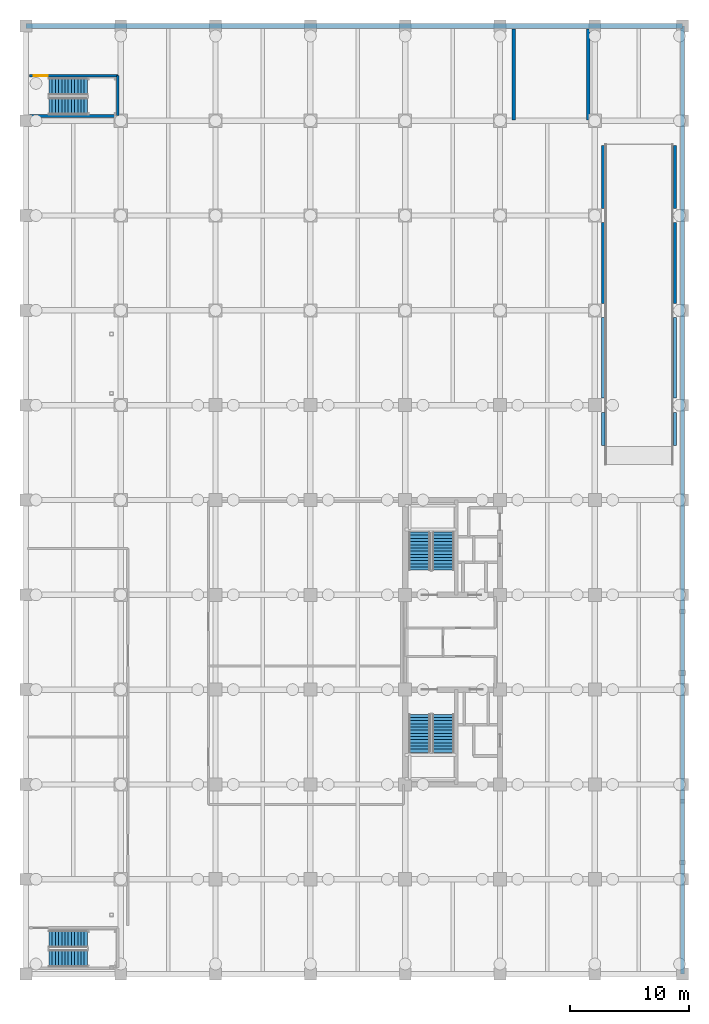
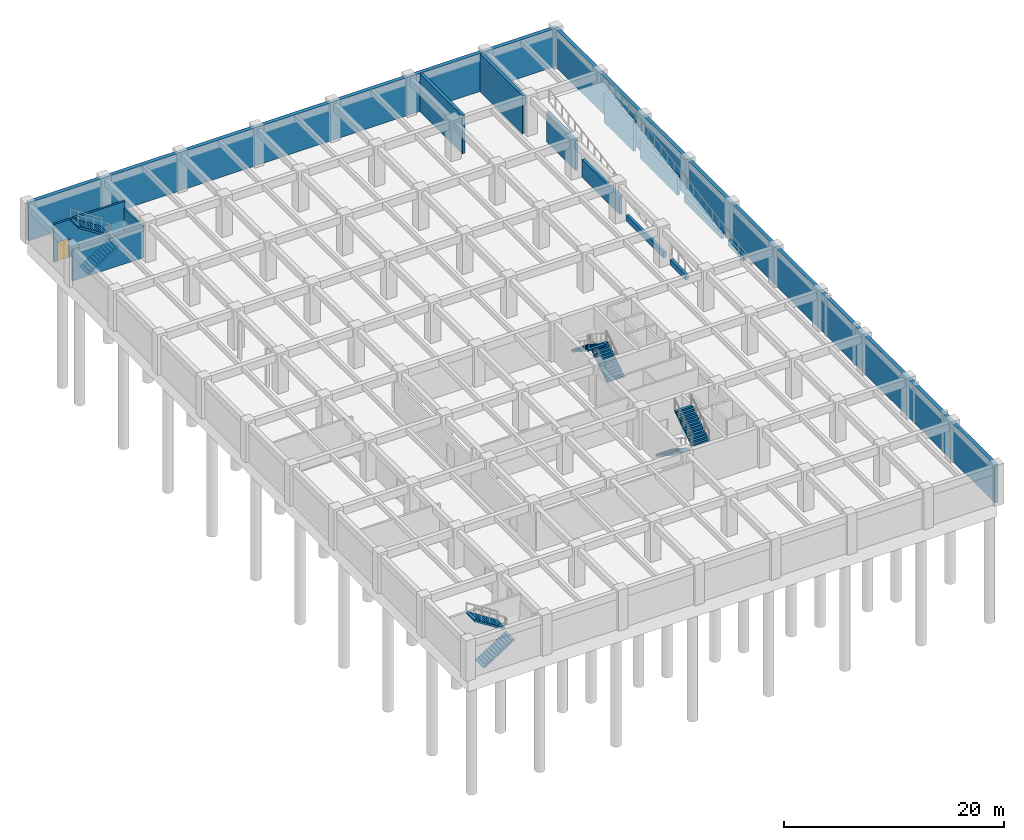
# One storey, part 11 of 15: 15 walls, 8 stair flights, 1 door, 1 opening, 4 elements without a shape of their own.
"""IFC4 building model written with IfcOpenShell, lengths in metres."""

from ifc_helpers import new_model, si_unit, direction, frame, frame_2d, origin, place, context, subcontext, project, spatial, polyline, rectangle, outline, extrude, material, layer, layer_set, type_object, element, fill, aggregate, save


model = new_model("IFC4")

# Units and contexts
model_context = context("Model", 3, precision=1e-05, world=origin(), true_north=direction((0.0, 1.0)))
body_context = subcontext(model_context, "Body", "Model", "MODEL_VIEW")
ifc_project = project(units=[si_unit("LENGTHUNIT", "METRE"), si_unit("AREAUNIT", "SQUARE_METRE"), si_unit("VOLUMEUNIT", "CUBIC_METRE"), si_unit("PLANEANGLEUNIT", "RADIAN"), si_unit("MASSUNIT", "GRAM", prefix="KILO")], contexts=[model_context])

# Site, building, storey
site_placement = place(None, origin())
site = spatial("IfcSite", under=ifc_project, at=site_placement, CompositionType="ELEMENT")
building_placement = place(site_placement, origin())
building = spatial("IfcBuilding", under=site, at=building_placement, Name="Canggui Botanical Conservatory", CompositionType="ELEMENT")
storey_placement = place(building_placement, frame((0.0, 0.0, -9.0)))
storey = spatial("IfcBuildingStorey", under=building, at=storey_placement, Name="B2", CompositionType="ELEMENT", Elevation=-9.0)

# Wall, opening, door
ifc_material_1 = material(Name="Concrete C35", Category="concrete")
ifc_layer_1 = layer(ifc_material_1, 0.215087890625, Name="Concrete C35", Category="concrete")
ifc_layer_set_1 = layer_set([ifc_layer_1], Name="Concrete C35")
wall_type_1 = type_object("IfcWallType", Name="IW-SHAFT-215", PredefinedType="STANDARD", material=ifc_layer_set_1)
wall_1_placement = place(storey_placement, frame((122.300048828125, 101.800048828125, 0.0), z_axis=(0.0, 0.0, 1.0), x_axis=(1.0, 0.0, 0.0)))
wall_1 = element("IfcWall", 1, at=wall_1_placement, inside=storey, type_object=wall_type_1, Name="ST-G2 Shaft North Wall B2", PredefinedType="STANDARD", context=body_context, shape_type="SweptSolid", body=[
    extrude(rectangle(XDim=7.449951171875, YDim=0.215087890625, at=frame_2d((3.72509765625, 0.0))), origin(), (0.0, 0.0, 1.0), 4.199951171875),
])
opening_placement = place(wall_1_placement, frame((0.35009765625, 0.0, 0.0)))
opening = element("IfcOpeningElement", 2, at=opening_placement, cuts=wall_1, Name="Opening FD-07", PredefinedType="OPENING", context=body_context, shape_type="SweptSolid", body=[
    extrude(rectangle(XDim=1.199951171875, YDim=2.10009765625, at=frame_2d((0.60009765625, 1.050048828125))), frame((0.0, 0.11767578125, 0.0), z_axis=(0.0, -1.0, 0.0), x_axis=(1.0, 0.0, 0.0)), (0.0, 0.0, 1.0), 0.235107421875),
])
ifc_material_2 = material(Name="Powder-Coated Steel", Category="steel")
door_type = type_object("IfcDoorType", Name="FD-07", OperationType="NOTDEFINED", PredefinedType="DOOR", material=ifc_material_2)
door_placement = place(opening_placement, origin())
door = element("IfcDoor", 3, at=door_placement, inside=storey, type_object=door_type, Name="ST-G2 Escape Stair Door B2", OperationType="SINGLE_SWING_LEFT", OverallHeight=2.10009765625, OverallWidth=1.199951171875, PredefinedType="DOOR", context=body_context, shape_type="SweptSolid", body=[
    extrude(rectangle(XDim=1.199951171875, YDim=2.10009765625, at=frame_2d((0.60009765625, 1.050048828125))), frame((0.0, 0.02490234375, 0.0), z_axis=(0.0, -1.0, 0.0), x_axis=(1.0, 0.0, 0.0)), (0.0, 0.0, 1.0), 0.050048828125),
])
fill(opening, door)

# Walls
wall_2_placement = place(storey_placement, frame((129.75, 98.449951171875, 0.0), z_axis=(0.0, 0.0, 1.0), x_axis=(0.0, 1.0, 0.0)))
element("IfcWall", 4, at=wall_2_placement, inside=storey, type_object=wall_type_1, Name="ST-G2 Shaft East Wall B2", PredefinedType="STANDARD", context=body_context, shape_type="SweptSolid", body=[
    extrude(rectangle(XDim=3.35009765625, YDim=0.215087890625, at=frame_2d((1.675048828125, 0.0))), origin(), (0.0, 0.0, 1.0), 3.449951171875),
])
wall_3_placement = place(storey_placement, frame((129.75, 98.39990234375, 0.0), z_axis=(0.0, 0.0, 1.0), x_axis=(-1.0, 0.0, 0.0)))
element("IfcWall", 5, at=wall_3_placement, inside=storey, type_object=wall_type_1, Name="ST-G2 Shaft South Wall B2", PredefinedType="STANDARD", context=body_context, shape_type="SweptSolid", body=[
    extrude(rectangle(XDim=7.449951171875, YDim=0.215087890625, at=frame_2d((3.72509765625, 0.0))), origin(), (0.0, 0.0, 1.0), 3.35009765625),
])
ifc_material_3 = material(Name="Concrete C40", Category="concrete")
ifc_layer_2 = layer(ifc_material_3, 0.35009765625, Name="Concrete C40", Category="concrete")
ifc_layer_set_2 = layer_set([ifc_layer_2], Name="Concrete C40")
wall_type_2 = type_object("IfcWallType", Name="WALL-RET-350", PredefinedType="SOLIDWALL", material=ifc_layer_set_2)
wall_4_placement = place(storey_placement, frame((177.39990234375, 26.0, 0.0), z_axis=(0.0, 0.0, 1.0), x_axis=(0.0, 1.0, 0.0)))
element("IfcWall", 6, at=wall_4_placement, inside=storey, type_object=wall_type_2, Name="Basement Waterproof Retaining Wall B2-02", PredefinedType="SOLIDWALL", context=body_context, shape_type="SweptSolid", body=[
    extrude(rectangle(XDim=80.0, YDim=0.35009765625, at=frame_2d((40.0, 0.0))), origin(), (0.0, 0.0, 1.0), 4.219970703125),
])
ifc_layer_3 = layer(ifc_material_3, 0.39990234375, Name="Concrete C40", Category="concrete")
ifc_layer_set_3 = layer_set([ifc_layer_3], Name="Concrete C40")
wall_type_3 = type_object("IfcWallType", Name="WALL-RET-400", PredefinedType="SOLIDWALL", material=ifc_layer_set_3)
wall_5_placement = place(storey_placement, frame((177.39990234375, 106.0, 0.0), z_axis=(0.0, 0.0, 1.0), x_axis=(-1.0, 0.0, 0.0)))
element("IfcWall", 7, at=wall_5_placement, inside=storey, type_object=wall_type_3, Name="Basement Waterproof Retaining Wall B2-03", PredefinedType="SOLIDWALL", context=body_context, shape_type="SweptSolid", body=[
    extrude(rectangle(XDim=55.39990234375, YDim=0.39990234375, at=frame_2d((27.699951171875, 0.0))), origin(), (0.0, 0.0, 1.0), 4.219970703125),
])
ifc_layer_4 = layer(ifc_material_1, 0.280029296875, Name="Concrete C35", Category="concrete")
ifc_layer_set_4 = layer_set([ifc_layer_4], Name="Concrete C35")
wall_type_4 = type_object("IfcWallType", Name="WALL-SH-280-C35", PredefinedType="SHEAR", material=ifc_layer_set_4)
for number, where, z_axis, x_axis, name in (
    (8, (170.699951171875, 70.60009765625, 0.0), (0.0, 0.0, 1.0), (0.0, 1.0, 0.0), "Vehicle Ramp VR-02 Lower Retaining Wall W1"),
    (9, (176.760009765625, 70.60009765625, 0.0), (0.0, 0.0, 1.0), (0.0, 1.0, 0.0), "Vehicle Ramp VR-02 Lower Retaining Wall E1"),
):
    element("IfcWall", number, at=place(storey_placement, frame(where, z_axis=z_axis, x_axis=x_axis)), inside=storey, type_object=wall_type_4, Name=name, PredefinedType="SHEAR", context=body_context, shape_type="SweptSolid", body=[
        extrude(rectangle(XDim=2.7998046875, YDim=0.280029296875, at=frame_2d((1.39990234375, 0.0))), origin(), (0.0, 0.0, 1.0), 0.60009765625),
    ])
for number, where, z_axis, x_axis, name in (
    (10, (170.699951171875, 74.60009765625, 0.0), (0.0, 0.0, 1.0), (0.0, 1.0, 0.0), "Vehicle Ramp VR-02 Lower Retaining Wall W2"),
    (11, (176.760009765625, 74.60009765625, 0.0), (0.0, 0.0, 1.0), (0.0, 1.0, 0.0), "Vehicle Ramp VR-02 Lower Retaining Wall E2"),
):
    element("IfcWall", number, at=place(storey_placement, frame(where, z_axis=z_axis, x_axis=x_axis)), inside=storey, type_object=wall_type_4, Name=name, PredefinedType="SHEAR", context=body_context, shape_type="SweptSolid", body=[
        extrude(rectangle(XDim=6.7998046875, YDim=0.280029296875, at=frame_2d((3.39990234375, 0.0))), origin(), (0.0, 0.0, 1.0), 0.67822265625),
    ])
for number, where, z_axis, x_axis, name in (
    (12, (170.699951171875, 82.60009765625, 0.0), (0.0, 0.0, 1.0), (0.0, 1.0, 0.0), "Vehicle Ramp VR-02 Lower Retaining Wall W3"),
    (13, (176.760009765625, 82.60009765625, 0.0), (0.0, 0.0, 1.0), (0.0, 1.0, 0.0), "Vehicle Ramp VR-02 Lower Retaining Wall E3"),
):
    element("IfcWall", number, at=place(storey_placement, frame(where, z_axis=z_axis, x_axis=x_axis)), inside=storey, type_object=wall_type_4, Name=name, PredefinedType="SHEAR", context=body_context, shape_type="SweptSolid", body=[
        extrude(rectangle(XDim=6.7998046875, YDim=0.280029296875, at=frame_2d((3.39990234375, 0.0))), origin(), (0.0, 0.0, 1.0), 2.01171875),
    ])
for number, where, z_axis, x_axis, name in (
    (14, (170.699951171875, 90.60009765625, 0.0), (0.0, 0.0, 1.0), (0.0, 1.0, 0.0), "Vehicle Ramp VR-02 Lower Retaining Wall W4"),
    (15, (176.760009765625, 90.60009765625, 0.0), (0.0, 0.0, 1.0), (0.0, 1.0, 0.0), "Vehicle Ramp VR-02 Lower Retaining Wall E4"),
):
    element("IfcWall", number, at=place(storey_placement, frame(where, z_axis=z_axis, x_axis=x_axis)), inside=storey, type_object=wall_type_4, Name=name, PredefinedType="SHEAR", context=body_context, shape_type="SweptSolid", body=[
        extrude(rectangle(XDim=5.2998046875, YDim=0.280029296875, at=frame_2d((2.64990234375, 0.0))), origin(), (0.0, 0.0, 1.0), 3.344970703125),
    ])
ifc_layer_5 = layer(ifc_material_1, 0.300048828125, Name="Concrete C35", Category="concrete")
ifc_layer_set_5 = layer_set([ifc_layer_5], Name="Concrete C35")
wall_type_5 = type_object("IfcWallType", Name="WALL-SH-300-C35", PredefinedType="SHEAR", material=ifc_layer_set_5)
for number, where, z_axis, x_axis, name in (
    (16, (163.14990234375, 98.050048828125, 0.0), (0.0, 0.0, 1.0), (0.0, 1.0, 0.0), "Vehicle Ramp VR-01 Lower Support Wall X163.15"),
    (17, (169.449951171875, 98.050048828125, 0.0), (0.0, 0.0, 1.0), (0.0, 1.0, 0.0), "Vehicle Ramp VR-01 Lower Support Wall X169.45"),
):
    element("IfcWall", number, at=place(storey_placement, frame(where, z_axis=z_axis, x_axis=x_axis)), inside=storey, type_object=wall_type_5, Name=name, PredefinedType="SHEAR", context=body_context, shape_type="SweptSolid", body=[
        extrude(rectangle(XDim=7.699951171875, YDim=0.300048828125, at=frame_2d((3.85009765625, 0.0))), origin(), (0.0, 0.0, 1.0), 4.219970703125),
    ])

# Stair, stair flights
stair_type_1 = type_object("IfcStairType", Name="STR-TYPE-2", PredefinedType="HALF_TURN_STAIR", material=ifc_material_1)
stair_1_placement = place(storey_placement, origin())
stair_1 = element("IfcStair", 18, at=stair_1_placement, inside=storey, type_object=stair_type_1, Name="B2 Basement South-West Escape Stair ST-G1", PredefinedType="HALF_TURN_STAIR")
stair_flight_type_1 = type_object("IfcStairFlightType", Name="SFL-TYPE-2", PredefinedType="STRAIGHT", material=ifc_material_1)
stair_flight_1_placement = place(storey_placement, frame((123.949951171875, 27.324951171875, 0.0), z_axis=(0.0, 0.0, 1.0), x_axis=(1.0, 0.0, 0.0)))
stair_flight_1 = element("IfcStairFlight", 19, at=stair_flight_1_placement, type_object=stair_flight_type_1, Name="ST-G1 flight 1", NumberOfRisers=13, NumberOfTreads=12, PredefinedType="STRAIGHT", RiserHeight=0.173076923, TreadLength=0.27, context=body_context, shape_type="SweptSolid", body=[
    extrude(outline(polyline([(0.0, 0.0), (0.0, 0.173095703125), (0.27001953125, 0.173095703125), (0.27001953125, 0.34619140625), (0.5400390625, 0.34619140625), (0.5400390625, 0.519287109375), (0.81005859375, 0.519287109375), (0.81005859375, 0.6923828125), (1.080078125, 0.6923828125), (1.080078125, 0.865478515625), (1.35009765625, 0.865478515625), (1.35009765625, 1.03857421875), (1.6201171875, 1.03857421875), (1.6201171875, 1.21142578125), (1.889892578125, 1.21142578125), (1.889892578125, 1.384521484375), (2.159912109375, 1.384521484375), (2.159912109375, 1.5576171875), (2.429931640625, 1.5576171875), (2.429931640625, 1.730712890625), (2.699951171875, 1.730712890625), (2.699951171875, 1.90380859375), (2.969970703125, 1.90380859375), (2.969970703125, 2.076904296875), (3.239990234375, 2.076904296875), (3.239990234375, 2.25), (3.239990234375, 1.89892578125), (0.27783203125, 0.0), (0.0, 0.0)])), frame((0.0, 0.72509765625, 0.0), z_axis=(0.0, -1.0, 0.0), x_axis=(1.0, 0.0, 0.0)), (0.0, 0.0, 1.0), 1.449951171875),
])
stair_flight_2_placement = place(storey_placement, frame((127.18994140625, 28.97509765625, 2.25), z_axis=(0.0, 0.0, 1.0), x_axis=(-1.0, 0.0, 0.0)))
stair_flight_2 = element("IfcStairFlight", 20, at=stair_flight_2_placement, type_object=stair_flight_type_1, Name="ST-G1 flight 2", NumberOfRisers=13, NumberOfTreads=12, PredefinedType="STRAIGHT", RiserHeight=0.173076923, TreadLength=0.27, context=body_context, shape_type="SweptSolid", body=[
    extrude(outline(polyline([(0.0, 0.0), (0.0, 0.173095703125), (0.27001953125, 0.173095703125), (0.27001953125, 0.34619140625), (0.5400390625, 0.34619140625), (0.5400390625, 0.519287109375), (0.81005859375, 0.519287109375), (0.81005859375, 0.6923828125), (1.080078125, 0.6923828125), (1.080078125, 0.865478515625), (1.35009765625, 0.865478515625), (1.35009765625, 1.03857421875), (1.6201171875, 1.03857421875), (1.6201171875, 1.21142578125), (1.889892578125, 1.21142578125), (1.889892578125, 1.384521484375), (2.159912109375, 1.384521484375), (2.159912109375, 1.5576171875), (2.429931640625, 1.5576171875), (2.429931640625, 1.730712890625), (2.699951171875, 1.730712890625), (2.699951171875, 1.90380859375), (2.969970703125, 1.90380859375), (2.969970703125, 2.076904296875), (3.239990234375, 2.076904296875), (3.239990234375, 2.25), (3.239990234375, 1.89892578125), (0.27783203125, 0.0), (0.0, 0.0)])), frame((0.0, 0.72509765625, 0.0), z_axis=(0.0, -1.0, 0.0), x_axis=(1.0, 0.0, 0.0)), (0.0, 0.0, 1.0), 1.449951171875),
])
aggregate(stair_1, [stair_flight_1, stair_flight_2])

stair_2_placement = place(storey_placement, origin())
stair_2 = element("IfcStair", 21, at=stair_2_placement, inside=storey, type_object=stair_type_1, Name="B2 Basement North-West Escape Stair ST-G2", PredefinedType="HALF_TURN_STAIR")
stair_flight_3_placement = place(storey_placement, frame((123.949951171875, 99.22509765625, 0.0), z_axis=(0.0, 0.0, 1.0), x_axis=(1.0, 0.0, 0.0)))
stair_flight_3 = element("IfcStairFlight", 22, at=stair_flight_3_placement, type_object=stair_flight_type_1, Name="ST-G2 flight 1", NumberOfRisers=13, NumberOfTreads=12, PredefinedType="STRAIGHT", RiserHeight=0.173076923, TreadLength=0.27, context=body_context, shape_type="SweptSolid", body=[
    extrude(outline(polyline([(0.0, 0.0), (0.0, 0.173095703125), (0.27001953125, 0.173095703125), (0.27001953125, 0.34619140625), (0.5400390625, 0.34619140625), (0.5400390625, 0.519287109375), (0.81005859375, 0.519287109375), (0.81005859375, 0.6923828125), (1.080078125, 0.6923828125), (1.080078125, 0.865478515625), (1.35009765625, 0.865478515625), (1.35009765625, 1.03857421875), (1.6201171875, 1.03857421875), (1.6201171875, 1.21142578125), (1.889892578125, 1.21142578125), (1.889892578125, 1.384521484375), (2.159912109375, 1.384521484375), (2.159912109375, 1.5576171875), (2.429931640625, 1.5576171875), (2.429931640625, 1.730712890625), (2.699951171875, 1.730712890625), (2.699951171875, 1.90380859375), (2.969970703125, 1.90380859375), (2.969970703125, 2.076904296875), (3.239990234375, 2.076904296875), (3.239990234375, 2.25), (3.239990234375, 1.89892578125), (0.27783203125, 0.0), (0.0, 0.0)])), frame((0.0, 0.72509765625, 0.0), z_axis=(0.0, -1.0, 0.0), x_axis=(1.0, 0.0, 0.0)), (0.0, 0.0, 1.0), 1.449951171875),
])
stair_flight_4_placement = place(storey_placement, frame((127.18994140625, 100.875, 2.25), z_axis=(0.0, 0.0, 1.0), x_axis=(-1.0, 0.0, 0.0)))
stair_flight_4 = element("IfcStairFlight", 23, at=stair_flight_4_placement, type_object=stair_flight_type_1, Name="ST-G2 flight 2", NumberOfRisers=13, NumberOfTreads=12, PredefinedType="STRAIGHT", RiserHeight=0.173076923, TreadLength=0.27, context=body_context, shape_type="SweptSolid", body=[
    extrude(outline(polyline([(0.0, 0.0), (0.0, 0.173095703125), (0.27001953125, 0.173095703125), (0.27001953125, 0.34619140625), (0.5400390625, 0.34619140625), (0.5400390625, 0.519287109375), (0.81005859375, 0.519287109375), (0.81005859375, 0.6923828125), (1.080078125, 0.6923828125), (1.080078125, 0.865478515625), (1.35009765625, 0.865478515625), (1.35009765625, 1.03857421875), (1.6201171875, 1.03857421875), (1.6201171875, 1.21142578125), (1.889892578125, 1.21142578125), (1.889892578125, 1.384521484375), (2.159912109375, 1.384521484375), (2.159912109375, 1.5576171875), (2.429931640625, 1.5576171875), (2.429931640625, 1.730712890625), (2.699951171875, 1.730712890625), (2.699951171875, 1.90380859375), (2.969970703125, 1.90380859375), (2.969970703125, 2.076904296875), (3.239990234375, 2.076904296875), (3.239990234375, 2.25), (3.239990234375, 1.89892578125), (0.27783203125, 0.0), (0.0, 0.0)])), frame((0.0, 0.72509765625, 0.0), z_axis=(0.0, -1.0, 0.0), x_axis=(1.0, 0.0, 0.0)), (0.0, 0.0, 1.0), 1.449951171875),
])
aggregate(stair_2, [stair_flight_3, stair_flight_4])

stair_type_2 = type_object("IfcStairType", Name="STR-TYPE-5", PredefinedType="HALF_TURN_STAIR", material=ifc_material_1)
stair_3_placement = place(storey_placement, origin())
stair_3 = element("IfcStair", 24, at=stair_3_placement, inside=storey, type_object=stair_type_2, Name="B2 Tower South Smoke-Proof Stair ST-T1", PredefinedType="HALF_TURN_STAIR")
stair_flight_type_2 = type_object("IfcStairFlightType", Name="SFL-TYPE-5", PredefinedType="STRAIGHT", material=ifc_material_1)
stair_flight_5_placement = place(storey_placement, frame((155.2099609375, 47.919921875, 0.0), z_axis=(0.0, 0.0, 1.0), x_axis=(0.0, -1.0, 0.0)))
stair_flight_5 = element("IfcStairFlight", 25, at=stair_flight_5_placement, type_object=stair_flight_type_2, Name="ST-T1 flight 1", NumberOfRisers=13, NumberOfTreads=12, PredefinedType="STRAIGHT", RiserHeight=0.173076923, TreadLength=0.268, context=body_context, shape_type="SweptSolid", body=[
    extrude(outline(polyline([(0.0, 0.0), (0.0, 0.173095703125), (0.26806640625, 0.173095703125), (0.26806640625, 0.34619140625), (0.535888671875, 0.34619140625), (0.535888671875, 0.519287109375), (0.803955078125, 0.519287109375), (0.803955078125, 0.6923828125), (1.072021484375, 0.6923828125), (1.072021484375, 0.865478515625), (1.340087890625, 0.865478515625), (1.340087890625, 1.03857421875), (1.60791015625, 1.03857421875), (1.60791015625, 1.21142578125), (1.8759765625, 1.21142578125), (1.8759765625, 1.384521484375), (2.14404296875, 1.384521484375), (2.14404296875, 1.5576171875), (2.412109375, 1.5576171875), (2.412109375, 1.730712890625), (2.679931640625, 1.730712890625), (2.679931640625, 1.90380859375), (2.947998046875, 1.90380859375), (2.947998046875, 2.076904296875), (3.216064453125, 2.076904296875), (3.216064453125, 2.25), (3.216064453125, 1.933837890625), (0.221435546875, 0.0), (0.0, 0.0)])), frame((0.0, 0.91015625, 0.0), z_axis=(0.0, -1.0, 0.0), x_axis=(1.0, 0.0, 0.0)), (0.0, 0.0, 1.0), 1.820068359375),
])
stair_flight_6_placement = place(storey_placement, frame((157.2099609375, 44.7041015625, 2.25), z_axis=(0.0, 0.0, 1.0), x_axis=(0.0, 1.0, 0.0)))
stair_flight_6 = element("IfcStairFlight", 26, at=stair_flight_6_placement, type_object=stair_flight_type_2, Name="ST-T1 flight 2", NumberOfRisers=13, NumberOfTreads=12, PredefinedType="STRAIGHT", RiserHeight=0.173076923, TreadLength=0.268, context=body_context, shape_type="SweptSolid", body=[
    extrude(outline(polyline([(0.0, 0.0), (0.0, 0.173095703125), (0.26806640625, 0.173095703125), (0.26806640625, 0.34619140625), (0.535888671875, 0.34619140625), (0.535888671875, 0.519287109375), (0.803955078125, 0.519287109375), (0.803955078125, 0.6923828125), (1.072021484375, 0.6923828125), (1.072021484375, 0.865478515625), (1.340087890625, 0.865478515625), (1.340087890625, 1.03857421875), (1.60791015625, 1.03857421875), (1.60791015625, 1.21142578125), (1.8759765625, 1.21142578125), (1.8759765625, 1.384521484375), (2.14404296875, 1.384521484375), (2.14404296875, 1.5576171875), (2.412109375, 1.5576171875), (2.412109375, 1.730712890625), (2.679931640625, 1.730712890625), (2.679931640625, 1.90380859375), (2.947998046875, 1.90380859375), (2.947998046875, 2.076904296875), (3.216064453125, 2.076904296875), (3.216064453125, 2.25), (3.216064453125, 1.933837890625), (0.221435546875, 0.0), (0.0, 0.0)])), frame((0.0, 0.91015625, 0.0), z_axis=(0.0, -1.0, 0.0), x_axis=(1.0, 0.0, 0.0)), (0.0, 0.0, 1.0), 1.820068359375),
])
aggregate(stair_3, [stair_flight_5, stair_flight_6])

stair_4_placement = place(storey_placement, origin())
stair_4 = element("IfcStair", 27, at=stair_4_placement, inside=storey, type_object=stair_type_2, Name="B2 Tower North Smoke-Proof Stair ST-T2", PredefinedType="HALF_TURN_STAIR")
stair_flight_7_placement = place(storey_placement, frame((157.2099609375, 60.080078125, 0.0), z_axis=(0.0, 0.0, 1.0), x_axis=(0.0, 1.0, 0.0)))
stair_flight_7 = element("IfcStairFlight", 28, at=stair_flight_7_placement, type_object=stair_flight_type_2, Name="ST-T2 flight 1", NumberOfRisers=13, NumberOfTreads=12, PredefinedType="STRAIGHT", RiserHeight=0.173076923, TreadLength=0.268, context=body_context, shape_type="SweptSolid", body=[
    extrude(outline(polyline([(0.0, 0.0), (0.0, 0.173095703125), (0.26806640625, 0.173095703125), (0.26806640625, 0.34619140625), (0.535888671875, 0.34619140625), (0.535888671875, 0.519287109375), (0.803955078125, 0.519287109375), (0.803955078125, 0.6923828125), (1.072021484375, 0.6923828125), (1.072021484375, 0.865478515625), (1.340087890625, 0.865478515625), (1.340087890625, 1.03857421875), (1.60791015625, 1.03857421875), (1.60791015625, 1.21142578125), (1.8759765625, 1.21142578125), (1.8759765625, 1.384521484375), (2.14404296875, 1.384521484375), (2.14404296875, 1.5576171875), (2.412109375, 1.5576171875), (2.412109375, 1.730712890625), (2.679931640625, 1.730712890625), (2.679931640625, 1.90380859375), (2.947998046875, 1.90380859375), (2.947998046875, 2.076904296875), (3.216064453125, 2.076904296875), (3.216064453125, 2.25), (3.216064453125, 1.933837890625), (0.221435546875, 0.0), (0.0, 0.0)])), frame((0.0, 0.91015625, 0.0), z_axis=(0.0, -1.0, 0.0), x_axis=(1.0, 0.0, 0.0)), (0.0, 0.0, 1.0), 1.820068359375),
])
stair_flight_8_placement = place(storey_placement, frame((155.2099609375, 63.2958984375, 2.25), z_axis=(0.0, 0.0, 1.0), x_axis=(0.0, -1.0, 0.0)))
stair_flight_8 = element("IfcStairFlight", 29, at=stair_flight_8_placement, type_object=stair_flight_type_2, Name="ST-T2 flight 2", NumberOfRisers=13, NumberOfTreads=12, PredefinedType="STRAIGHT", RiserHeight=0.173076923, TreadLength=0.268, context=body_context, shape_type="SweptSolid", body=[
    extrude(outline(polyline([(0.0, 0.0), (0.0, 0.173095703125), (0.26806640625, 0.173095703125), (0.26806640625, 0.34619140625), (0.535888671875, 0.34619140625), (0.535888671875, 0.519287109375), (0.803955078125, 0.519287109375), (0.803955078125, 0.6923828125), (1.072021484375, 0.6923828125), (1.072021484375, 0.865478515625), (1.340087890625, 0.865478515625), (1.340087890625, 1.03857421875), (1.60791015625, 1.03857421875), (1.60791015625, 1.21142578125), (1.8759765625, 1.21142578125), (1.8759765625, 1.384521484375), (2.14404296875, 1.384521484375), (2.14404296875, 1.5576171875), (2.412109375, 1.5576171875), (2.412109375, 1.730712890625), (2.679931640625, 1.730712890625), (2.679931640625, 1.90380859375), (2.947998046875, 1.90380859375), (2.947998046875, 2.076904296875), (3.216064453125, 2.076904296875), (3.216064453125, 2.25), (3.216064453125, 1.933837890625), (0.221435546875, 0.0), (0.0, 0.0)])), frame((0.0, 0.91015625, 0.0), z_axis=(0.0, -1.0, 0.0), x_axis=(1.0, 0.0, 0.0)), (0.0, 0.0, 1.0), 1.820068359375),
])
aggregate(stair_4, [stair_flight_7, stair_flight_8])

save(model, "model.ifc")
